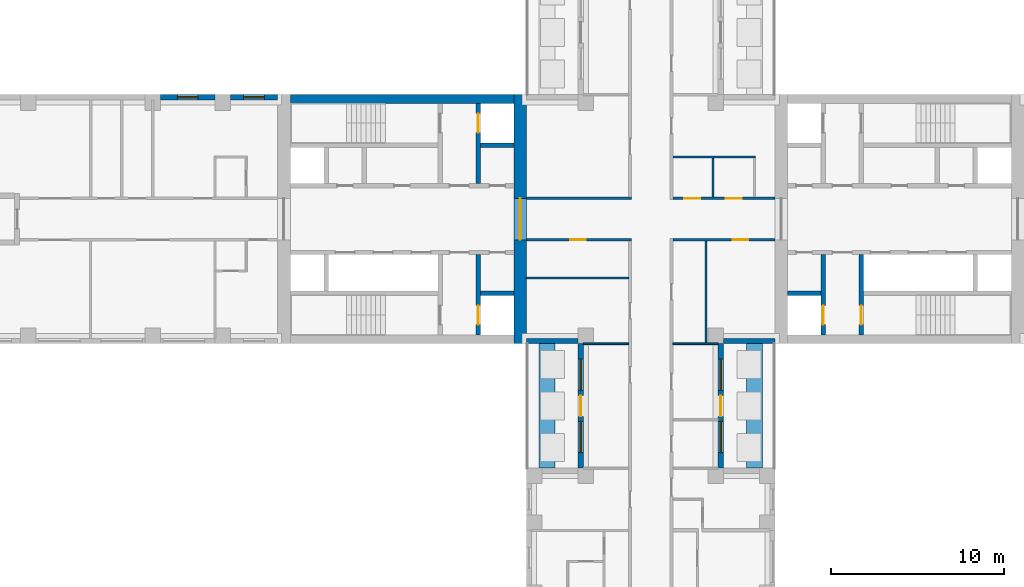
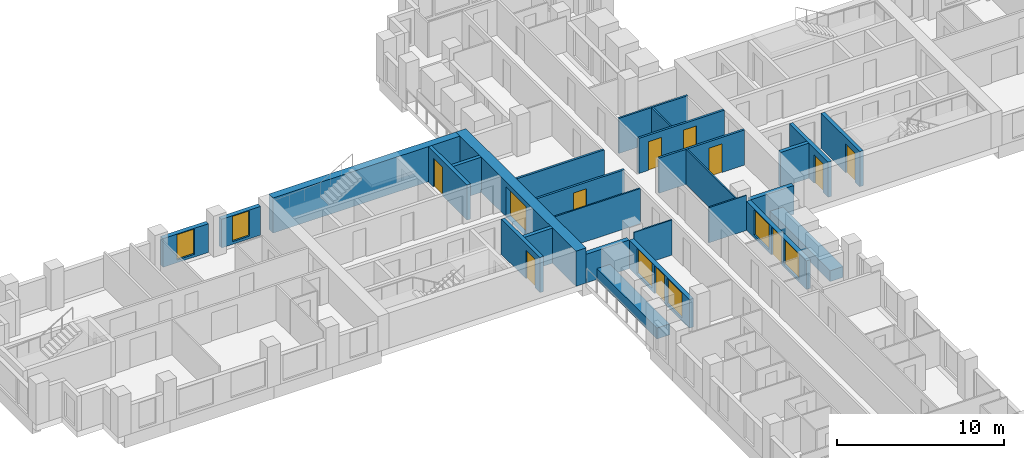
# One storey, part 7 of 13: 27 walls, 11 doors, 6 windows, 17 openings.
"""IFC4 building model written with IfcOpenShell, lengths in metres."""

from ifc_helpers import new_model, si_unit, direction, frame, frame_2d, origin, place, context, subcontext, project, spatial, rectangle, extrude, material, layer, layer_set, type_object, element, fill, save


model = new_model("IFC4")

# Units and contexts
model_context = context("Model", 3, precision=1e-05, world=origin(), true_north=direction((0.0, 1.0)))
body_context = subcontext(model_context, "Body", "Model", "MODEL_VIEW")
ifc_project = project(units=[si_unit("LENGTHUNIT", "METRE"), si_unit("AREAUNIT", "SQUARE_METRE"), si_unit("VOLUMEUNIT", "CUBIC_METRE"), si_unit("PLANEANGLEUNIT", "RADIAN"), si_unit("MASSUNIT", "GRAM", prefix="KILO")], contexts=[model_context])

# Site, building, storey
site_placement = place(None, origin())
site = spatial("IfcSite", under=ifc_project, at=site_placement, CompositionType="ELEMENT")
building_placement = place(site_placement, origin())
building = spatial("IfcBuilding", under=site, at=building_placement, Name="Fustian Cross Tower", CompositionType="ELEMENT")
storey_placement = place(building_placement, frame((0.0, 0.0, 84.89990234375)))
storey = spatial("IfcBuildingStorey", under=building, at=storey_placement, Name="L26", CompositionType="ELEMENT", Elevation=84.89990234375)

# Wall, opening, door
ifc_material_1 = material(Name="Plasterboard on steel stud", Category="steel")
ifc_layer_1 = layer(ifc_material_1, 0.14990234375)
ifc_layer_set_1 = layer_set([ifc_layer_1], Name="Plasterboard on steel stud")
wall_type_1 = type_object("IfcWallType", Name="COMPARTMENT WALL 150 EI 60", PredefinedType="PARTITIONING", material=ifc_layer_set_1)
wall_1_placement = place(storey_placement, frame((-7.199951171875, -1.199951171875, 0.0), z_axis=(0.0, 0.0, 1.0), x_axis=(1.0, 0.0, 0.0)))
wall_1 = element("IfcWall", 1, at=wall_1_placement, inside=storey, type_object=wall_type_1, Name="Partition 15", PredefinedType="PARTITIONING", context=body_context, shape_type="SweptSolid", body=[
    extrude(rectangle(XDim=6.074951171875, YDim=0.14990234375, at=frame_2d((3.03759765625, 0.0))), origin(), (0.0, 0.0, 1.0), 2.5751953125),
])
opening_1_placement = place(wall_1_placement, frame((2.550048828125, 0.0, 0.0)))
opening_1 = element("IfcOpeningElement", 2, at=opening_1_placement, cuts=wall_1, Name="Opening D13007", PredefinedType="OPENING", context=body_context, shape_type="SweptSolid", body=[
    extrude(rectangle(XDim=0.89990234375, YDim=2.10009765625, at=frame_2d((0.449951171875, 1.050048828125))), frame((0.0, 0.0849609375, 0.0), z_axis=(0.0, -1.0, 0.0), x_axis=(1.0, 0.0, 0.0)), (0.0, 0.0, 1.0), 0.169921875),
])
ifc_material_2 = material(Name="Timber fire door set", Category="wood")
door_type_1 = type_object("IfcDoorType", Name="FIRE SWING DOOR 900 FD30S", OperationType="SINGLE_SWING_LEFT", PredefinedType="DOOR", material=ifc_material_2)
door_1_placement = place(opening_1_placement, frame((0.89990234375, 0.0, 0.0), z_axis=(0.0, 0.0, 1.0), x_axis=(-1.0, 0.0, 0.0)))
door_1 = element("IfcDoor", 3, at=door_1_placement, inside=storey, type_object=door_type_1, Name="Door D13007", OperationType="SINGLE_SWING_RIGHT", OverallHeight=2.10009765625, OverallWidth=0.89990234375, PredefinedType="DOOR", context=body_context, shape_type="SweptSolid", body=[
    extrude(rectangle(XDim=0.89990234375, YDim=2.10009765625, at=frame_2d((0.449951171875, 1.050048828125))), frame((0.0, 0.02490234375, 0.0), z_axis=(0.0, -1.0, 0.0), x_axis=(1.0, 0.0, 0.0)), (0.0, 0.0, 1.0), 0.050048828125),
])
fill(opening_1, door_1)

# Wall
wall_2_placement = place(storey_placement, frame((-7.199951171875, 1.199951171875, 0.0), z_axis=(0.0, 0.0, 1.0), x_axis=(1.0, 0.0, 0.0)))
element("IfcWall", 4, at=wall_2_placement, inside=storey, type_object=wall_type_1, Name="Partition 16", PredefinedType="PARTITIONING", context=body_context, shape_type="SweptSolid", body=[
    extrude(rectangle(XDim=6.074951171875, YDim=0.14990234375, at=frame_2d((3.03759765625, 0.0))), origin(), (0.0, 0.0, 1.0), 2.5751953125),
])

# Wall, opening, door
wall_3_placement = place(storey_placement, frame((1.27490234375, -1.199951171875, 0.0), z_axis=(0.0, 0.0, 1.0), x_axis=(1.0, 0.0, 0.0)))
wall_3 = element("IfcWall", 5, at=wall_3_placement, inside=storey, type_object=wall_type_1, Name="Partition 48", PredefinedType="PARTITIONING", context=body_context, shape_type="SweptSolid", body=[
    extrude(rectangle(XDim=5.925048828125, YDim=0.14990234375, at=frame_2d((2.96240234375, 0.0))), origin(), (0.0, 0.0, 1.0), 2.5751953125),
])
opening_2_placement = place(wall_3_placement, frame((3.47509765625, 0.0, 0.0)))
opening_2 = element("IfcOpeningElement", 6, at=opening_2_placement, cuts=wall_3, Name="Opening D13006", PredefinedType="OPENING", context=body_context, shape_type="SweptSolid", body=[
    extrude(rectangle(XDim=0.89990234375, YDim=2.10009765625, at=frame_2d((0.449951171875, 1.050048828125))), frame((0.0, 0.0849609375, 0.0), z_axis=(0.0, -1.0, 0.0), x_axis=(1.0, 0.0, 0.0)), (0.0, 0.0, 1.0), 0.169921875),
])
door_2_placement = place(opening_2_placement, frame((0.89990234375, 0.0, 0.0), z_axis=(0.0, 0.0, 1.0), x_axis=(-1.0, 0.0, 0.0)))
door_2 = element("IfcDoor", 7, at=door_2_placement, inside=storey, type_object=door_type_1, Name="Door D13006", OperationType="SINGLE_SWING_RIGHT", OverallHeight=2.10009765625, OverallWidth=0.89990234375, PredefinedType="DOOR", context=body_context, shape_type="SweptSolid", body=[
    extrude(rectangle(XDim=0.89990234375, YDim=2.10009765625, at=frame_2d((0.449951171875, 1.050048828125))), frame((0.0, 0.02490234375, 0.0), z_axis=(0.0, -1.0, 0.0), x_axis=(1.0, 0.0, 0.0)), (0.0, 0.0, 1.0), 0.050048828125),
])
fill(opening_2, door_2)

# Wall, openings, doors
wall_4_placement = place(storey_placement, frame((1.27490234375, 1.199951171875, 0.0), z_axis=(0.0, 0.0, 1.0), x_axis=(1.0, 0.0, 0.0)))
wall_4 = element("IfcWall", 8, at=wall_4_placement, inside=storey, type_object=wall_type_1, Name="Partition 50", PredefinedType="PARTITIONING", context=body_context, shape_type="SweptSolid", body=[
    extrude(rectangle(XDim=5.925048828125, YDim=0.14990234375, at=frame_2d((2.96240234375, 0.0))), origin(), (0.0, 0.0, 1.0), 2.5751953125),
])
opening_3_placement = place(wall_4_placement, frame((0.675048828125, 0.0, 0.0)))
opening_3 = element("IfcOpeningElement", 9, at=opening_3_placement, cuts=wall_4, Name="Opening D13001", PredefinedType="OPENING", context=body_context, shape_type="SweptSolid", body=[
    extrude(rectangle(XDim=0.89990234375, YDim=2.10009765625, at=frame_2d((0.449951171875, 1.050048828125))), frame((0.0, 0.0849609375, 0.0), z_axis=(0.0, -1.0, 0.0), x_axis=(1.0, 0.0, 0.0)), (0.0, 0.0, 1.0), 0.169921875),
])
opening_4_placement = place(wall_4_placement, frame((3.074951171875, 0.0, 0.0)))
opening_4 = element("IfcOpeningElement", 10, at=opening_4_placement, cuts=wall_4, Name="Opening D13002", PredefinedType="OPENING", context=body_context, shape_type="SweptSolid", body=[
    extrude(rectangle(XDim=0.89990234375, YDim=2.10009765625, at=frame_2d((0.449951171875, 1.050048828125))), frame((0.0, 0.0849609375, 0.0), z_axis=(0.0, -1.0, 0.0), x_axis=(1.0, 0.0, 0.0)), (0.0, 0.0, 1.0), 0.169921875),
])
door_3_placement = place(opening_3_placement, origin())
door_3 = element("IfcDoor", 11, at=door_3_placement, inside=storey, type_object=door_type_1, Name="Door D13001", OperationType="SINGLE_SWING_LEFT", OverallHeight=2.10009765625, OverallWidth=0.89990234375, PredefinedType="DOOR", context=body_context, shape_type="SweptSolid", body=[
    extrude(rectangle(XDim=0.89990234375, YDim=2.10009765625, at=frame_2d((0.449951171875, 1.050048828125))), frame((0.0, 0.02490234375, 0.0), z_axis=(0.0, -1.0, 0.0), x_axis=(1.0, 0.0, 0.0)), (0.0, 0.0, 1.0), 0.050048828125),
])
fill(opening_3, door_3)
door_4_placement = place(opening_4_placement, origin())
door_4 = element("IfcDoor", 12, at=door_4_placement, inside=storey, type_object=door_type_1, Name="Door D13002", OperationType="SINGLE_SWING_LEFT", OverallHeight=2.10009765625, OverallWidth=0.89990234375, PredefinedType="DOOR", context=body_context, shape_type="SweptSolid", body=[
    extrude(rectangle(XDim=0.89990234375, YDim=2.10009765625, at=frame_2d((0.449951171875, 1.050048828125))), frame((0.0, 0.02490234375, 0.0), z_axis=(0.0, -1.0, 0.0), x_axis=(1.0, 0.0, 0.0)), (0.0, 0.0, 1.0), 0.050048828125),
])
fill(opening_4, door_4)

# Wall, opening, door
ifc_material_3 = material(Name="Concrete C70/85", Category="concrete")
ifc_layer_2 = layer(ifc_material_3, 0.699951171875)
ifc_layer_set_2 = layer_set([ifc_layer_2], Name="Concrete C70/85")
wall_type_2 = type_object("IfcWallType", Name="CORE END WALL 700 C70/85", PredefinedType="SHEAR", material=ifc_layer_set_2)
wall_5_placement = place(storey_placement, frame((-7.550048828125, -7.199951171875, 0.0), z_axis=(0.0, 0.0, 1.0), x_axis=(0.0, 1.0, 0.0)))
wall_5 = element("IfcWall", 13, at=wall_5_placement, inside=storey, type_object=wall_type_2, Name="Core end wall", PredefinedType="SHEAR", context=body_context, shape_type="SweptSolid", body=[
    extrude(rectangle(XDim=14.39990234375, YDim=0.699951171875, at=frame_2d((7.199951171875, 0.0))), origin(), (0.0, 0.0, 1.0), 2.5751953125),
])
opening_5_placement = place(wall_5_placement, frame((6.0, 0.0, 0.0)))
opening_5 = element("IfcOpeningElement", 14, at=opening_5_placement, cuts=wall_5, Name="Opening CD-11-27", PredefinedType="OPENING", context=body_context, shape_type="SweptSolid", body=[
    extrude(rectangle(XDim=2.39990234375, YDim=2.199951171875, at=frame_2d((1.199951171875, 1.10009765625))), frame((0.0, 0.35986328125, 0.0), z_axis=(0.0, -1.0, 0.0), x_axis=(1.0, 0.0, 0.0)), (0.0, 0.0, 1.0), 0.719970703125),
])
ifc_material_4 = material(Name="Steel", Category="steel")
door_type_2 = type_object("IfcDoorType", Name="FIRE DOOR FD30S DOUBLE 2400X2200", OperationType="DOUBLE_DOOR_DOUBLE_SWING", PredefinedType="DOOR", material=ifc_material_4)
door_5_placement = place(opening_5_placement, origin())
door_5 = element("IfcDoor", 15, at=door_5_placement, inside=storey, type_object=door_type_2, Name="Core door CD-11-27", OperationType="DOUBLE_DOOR_DOUBLE_SWING", OverallHeight=2.199951171875, OverallWidth=2.39990234375, PredefinedType="DOOR", context=body_context, shape_type="SweptSolid", body=[
    extrude(rectangle(XDim=2.39990234375, YDim=2.199951171875, at=frame_2d((1.199951171875, 1.10009765625))), frame((0.0, 0.02490234375, 0.0), z_axis=(0.0, -1.0, 0.0), x_axis=(1.0, 0.0, 0.0)), (0.0, 0.0, 1.0), 0.050048828125),
])
fill(opening_5, door_5)

# Walls
ifc_material_5 = material(Name="Concrete C70/85", Category="concrete")
ifc_layer_3 = layer(ifc_material_5, 0.5)
ifc_layer_set_3 = layer_set([ifc_layer_3], Name="Concrete C70/85")
wall_type_3 = type_object("IfcWallType", Name="CORE FACADE WALL 500 C70/85", PredefinedType="SHEAR", material=ifc_layer_set_3)
wall_6_placement = place(storey_placement, frame((-7.89990234375, 6.949951171875, 0.0), z_axis=(0.0, 0.0, 1.0), x_axis=(-1.0, 0.0, 0.0)))
element("IfcWall", 16, at=wall_6_placement, inside=storey, type_object=wall_type_3, Name="Core facade wall", PredefinedType="SHEAR", context=body_context, shape_type="SweptSolid", body=[
    extrude(rectangle(XDim=12.9501953125, YDim=0.5, at=frame_2d((6.47509765625, 0.0))), origin(), (0.0, 0.0, 1.0), 2.5751953125),
])
ifc_material_6 = material(Name="Concrete C50/60", Category="concrete")
ifc_layer_4 = layer(ifc_material_6, 0.25)
ifc_layer_set_4 = layer_set([ifc_layer_4], Name="Concrete C50/60")
wall_type_4 = type_object("IfcWallType", Name="CORE SHAFT WALL 250 C50/60", PredefinedType="SHEAR", material=ifc_layer_set_4)
wall_7_placement = place(storey_placement, frame((7.89990234375, -4.27490234375, 0.0), z_axis=(0.0, 0.0, 1.0), x_axis=(1.0, 0.0, 0.0)))
element("IfcWall", 17, at=wall_7_placement, inside=storey, type_object=wall_type_4, Name="Core shaft wall", PredefinedType="SHEAR", context=body_context, shape_type="SweptSolid", body=[
    extrude(rectangle(XDim=1.9501953125, YDim=0.25, at=frame_2d((0.97509765625, 0.0))), origin(), (0.0, 0.0, 1.0), 2.5751953125),
])

# Wall, opening, door
wall_8_placement = place(storey_placement, frame((9.97509765625, -2.050048828125, 0.0), z_axis=(0.0, 0.0, 1.0), x_axis=(0.0, -1.0, 0.0)))
wall_8 = element("IfcWall", 18, at=wall_8_placement, inside=storey, type_object=wall_type_4, Name="Core shaft wall", PredefinedType="SHEAR", context=body_context, shape_type="SweptSolid", body=[
    extrude(rectangle(XDim=4.64990234375, YDim=0.25, at=frame_2d((2.324951171875, 0.0))), origin(), (0.0, 0.0, 1.0), 2.5751953125),
])
opening_6_placement = place(wall_8_placement, frame((2.949951171875, 0.0, 0.0)))
opening_6 = element("IfcOpeningElement", 19, at=opening_6_placement, cuts=wall_8, Name="Opening LD", PredefinedType="OPENING", context=body_context, shape_type="SweptSolid", body=[
    extrude(rectangle(XDim=1.10009765625, YDim=2.10009765625, at=frame_2d((0.550048828125, 1.050048828125))), frame((0.0, 0.135009765625, 0.0), z_axis=(0.0, -1.0, 0.0), x_axis=(1.0, 0.0, 0.0)), (0.0, 0.0, 1.0), 0.27001953125),
])
ifc_material_7 = material(Name="Stainless steel", Category="steel")
door_type_3 = type_object("IfcDoorType", Name="LIFT LANDING DOOR 1100X2100", OperationType="SLIDING_TO_LEFT", PredefinedType="DOOR", material=ifc_material_7)
door_6_placement = place(opening_6_placement, origin())
door_6 = element("IfcDoor", 20, at=door_6_placement, inside=storey, type_object=door_type_3, Name="Landing door SV1", OperationType="SLIDING_TO_LEFT", OverallHeight=2.10009765625, OverallWidth=1.10009765625, PredefinedType="DOOR", context=body_context, shape_type="SweptSolid", body=[
    extrude(rectangle(XDim=1.10009765625, YDim=2.10009765625, at=frame_2d((0.550048828125, 1.050048828125))), frame((0.0, 0.02490234375, 0.0), z_axis=(0.0, -1.0, 0.0), x_axis=(1.0, 0.0, 0.0)), (0.0, 0.0, 1.0), 0.050048828125),
])
fill(opening_6, door_6)

wall_9_placement = place(storey_placement, frame((12.175048828125, -2.050048828125, 0.0), z_axis=(0.0, 0.0, 1.0), x_axis=(0.0, -1.0, 0.0)))
wall_9 = element("IfcWall", 21, at=wall_9_placement, inside=storey, type_object=wall_type_4, Name="Core shaft wall", PredefinedType="SHEAR", context=body_context, shape_type="SweptSolid", body=[
    extrude(rectangle(XDim=4.64990234375, YDim=0.25, at=frame_2d((2.324951171875, 0.0))), origin(), (0.0, 0.0, 1.0), 2.5751953125),
])
opening_7_placement = place(wall_9_placement, frame((2.949951171875, 0.0, 0.0)))
opening_7 = element("IfcOpeningElement", 22, at=opening_7_placement, cuts=wall_9, Name="Opening CD-11-07", PredefinedType="OPENING", context=body_context, shape_type="SweptSolid", body=[
    extrude(rectangle(XDim=1.10009765625, YDim=2.10009765625, at=frame_2d((0.550048828125, 1.050048828125))), frame((0.0, 0.135009765625, 0.0), z_axis=(0.0, -1.0, 0.0), x_axis=(1.0, 0.0, 0.0)), (0.0, 0.0, 1.0), 0.27001953125),
])
ifc_material_8 = material(Name="Steel", Category="steel")
door_type_4 = type_object("IfcDoorType", Name="FIRE DOOR FD60S 1100X2100", OperationType="SINGLE_SWING_LEFT", PredefinedType="DOOR", material=ifc_material_8)
door_7_placement = place(opening_7_placement, origin())
door_7 = element("IfcDoor", 23, at=door_7_placement, inside=storey, type_object=door_type_4, Name="Core door CD-11-07", OperationType="SINGLE_SWING_LEFT", OverallHeight=2.10009765625, OverallWidth=1.10009765625, PredefinedType="DOOR", context=body_context, shape_type="SweptSolid", body=[
    extrude(rectangle(XDim=1.10009765625, YDim=2.10009765625, at=frame_2d((0.550048828125, 1.050048828125))), frame((0.0, 0.02490234375, 0.0), z_axis=(0.0, -1.0, 0.0), x_axis=(1.0, 0.0, 0.0)), (0.0, 0.0, 1.0), 0.050048828125),
])
fill(opening_7, door_7)

# Wall
wall_10_placement = place(storey_placement, frame((-7.89990234375, 4.27490234375, 0.0), z_axis=(0.0, 0.0, 1.0), x_axis=(-1.0, 0.0, 0.0)))
element("IfcWall", 24, at=wall_10_placement, inside=storey, type_object=wall_type_4, Name="Core shaft wall", PredefinedType="SHEAR", context=body_context, shape_type="SweptSolid", body=[
    extrude(rectangle(XDim=1.9501953125, YDim=0.25, at=frame_2d((0.97509765625, 0.0))), origin(), (0.0, 0.0, 1.0), 2.5751953125),
])

# Wall, opening, door
wall_11_placement = place(storey_placement, frame((-9.97509765625, 2.050048828125, 0.0), z_axis=(0.0, 0.0, 1.0), x_axis=(0.0, 1.0, 0.0)))
wall_11 = element("IfcWall", 25, at=wall_11_placement, inside=storey, type_object=wall_type_4, Name="Core shaft wall", PredefinedType="SHEAR", context=body_context, shape_type="SweptSolid", body=[
    extrude(rectangle(XDim=4.64990234375, YDim=0.25, at=frame_2d((2.324951171875, 0.0))), origin(), (0.0, 0.0, 1.0), 2.5751953125),
])
opening_8_placement = place(wall_11_placement, frame((2.949951171875, 0.0, 0.0)))
opening_8 = element("IfcOpeningElement", 26, at=opening_8_placement, cuts=wall_11, Name="Opening LD", PredefinedType="OPENING", context=body_context, shape_type="SweptSolid", body=[
    extrude(rectangle(XDim=1.10009765625, YDim=2.10009765625, at=frame_2d((0.550048828125, 1.050048828125))), frame((0.0, 0.135009765625, 0.0), z_axis=(0.0, -1.0, 0.0), x_axis=(1.0, 0.0, 0.0)), (0.0, 0.0, 1.0), 0.27001953125),
])
door_8_placement = place(opening_8_placement, origin())
door_8 = element("IfcDoor", 27, at=door_8_placement, inside=storey, type_object=door_type_3, Name="Landing door FL1W", OperationType="SLIDING_TO_LEFT", OverallHeight=2.10009765625, OverallWidth=1.10009765625, PredefinedType="DOOR", context=body_context, shape_type="SweptSolid", body=[
    extrude(rectangle(XDim=1.10009765625, YDim=2.10009765625, at=frame_2d((0.550048828125, 1.050048828125))), frame((0.0, 0.02490234375, 0.0), z_axis=(0.0, -1.0, 0.0), x_axis=(1.0, 0.0, 0.0)), (0.0, 0.0, 1.0), 0.050048828125),
])
fill(opening_8, door_8)

# Wall
wall_12_placement = place(storey_placement, frame((-7.89990234375, -4.27490234375, 0.0), z_axis=(0.0, 0.0, 1.0), x_axis=(-1.0, 0.0, 0.0)))
element("IfcWall", 28, at=wall_12_placement, inside=storey, type_object=wall_type_4, Name="Core shaft wall", PredefinedType="SHEAR", context=body_context, shape_type="SweptSolid", body=[
    extrude(rectangle(XDim=1.9501953125, YDim=0.25, at=frame_2d((0.97509765625, 0.0))), origin(), (0.0, 0.0, 1.0), 2.5751953125),
])

# Wall, opening, door
wall_13_placement = place(storey_placement, frame((-9.97509765625, -2.050048828125, 0.0), z_axis=(0.0, 0.0, 1.0), x_axis=(0.0, -1.0, 0.0)))
wall_13 = element("IfcWall", 29, at=wall_13_placement, inside=storey, type_object=wall_type_4, Name="Core shaft wall", PredefinedType="SHEAR", context=body_context, shape_type="SweptSolid", body=[
    extrude(rectangle(XDim=4.64990234375, YDim=0.25, at=frame_2d((2.324951171875, 0.0))), origin(), (0.0, 0.0, 1.0), 2.5751953125),
])
opening_9_placement = place(wall_13_placement, frame((2.949951171875, 0.0, 0.0)))
opening_9 = element("IfcOpeningElement", 30, at=opening_9_placement, cuts=wall_13, Name="Opening LD", PredefinedType="OPENING", context=body_context, shape_type="SweptSolid", body=[
    extrude(rectangle(XDim=1.10009765625, YDim=2.10009765625, at=frame_2d((0.550048828125, 1.050048828125))), frame((0.0, 0.135009765625, 0.0), z_axis=(0.0, -1.0, 0.0), x_axis=(1.0, 0.0, 0.0)), (0.0, 0.0, 1.0), 0.27001953125),
])
door_9_placement = place(opening_9_placement, origin())
door_9 = element("IfcDoor", 31, at=door_9_placement, inside=storey, type_object=door_type_3, Name="Landing door SV1W", OperationType="SLIDING_TO_LEFT", OverallHeight=2.10009765625, OverallWidth=1.10009765625, PredefinedType="DOOR", context=body_context, shape_type="SweptSolid", body=[
    extrude(rectangle(XDim=1.10009765625, YDim=2.10009765625, at=frame_2d((0.550048828125, 1.050048828125))), frame((0.0, 0.02490234375, 0.0), z_axis=(0.0, -1.0, 0.0), x_axis=(1.0, 0.0, 0.0)), (0.0, 0.0, 1.0), 0.050048828125),
])
fill(opening_9, door_9)

# Walls
ifc_material_9 = material(Name="Plasterboard on steel stud", Category="steel")
ifc_layer_5 = layer(ifc_material_9, 0.10009765625)
ifc_layer_set_5 = layer_set([ifc_layer_5], Name="Plasterboard on steel stud")
wall_type_5 = type_object("IfcWallType", Name="PARTITION 100 STUD", PredefinedType="PARTITIONING", material=ifc_layer_set_5)
wall_14_placement = place(storey_placement, frame((-7.199951171875, -3.39990234375, 0.0), z_axis=(0.0, 0.0, 1.0), x_axis=(1.0, 0.0, 0.0)))
element("IfcWall", 32, at=wall_14_placement, inside=storey, type_object=wall_type_5, Name="Partition 14", PredefinedType="PARTITIONING", context=body_context, shape_type="SweptSolid", body=[
    extrude(rectangle(XDim=5.925048828125, YDim=0.10009765625, at=frame_2d((2.96240234375, 0.0))), origin(), (0.0, 0.0, 1.0), 2.5751953125),
])
for number, where, z_axis, x_axis, name in (
    (33, (-3.89990234375, -7.199951171875, 0.0), (0.0, 0.0, 1.0), (1.0, 0.0, 0.0), "Partition 32"),
    (34, (1.27490234375, -7.199951171875, 0.0), (0.0, 0.0, 1.0), (1.0, 0.0, 0.0), "Partition 47"),
):
    element("IfcWall", number, at=place(storey_placement, frame(where, z_axis=z_axis, x_axis=x_axis)), inside=storey, type_object=wall_type_5, Name=name, PredefinedType="PARTITIONING", context=body_context, shape_type="SweptSolid", body=[
        extrude(rectangle(XDim=2.625, YDim=0.10009765625, at=frame_2d((1.3125, 0.0))), origin(), (0.0, 0.0, 1.0), 2.5751953125),
    ])
wall_15_placement = place(storey_placement, frame((3.199951171875, -7.14990234375, 0.0), z_axis=(0.0, 0.0, 1.0), x_axis=(0.0, 1.0, 0.0)))
element("IfcWall", 35, at=wall_15_placement, inside=storey, type_object=wall_type_5, Name="Partition 62", PredefinedType="PARTITIONING", context=body_context, shape_type="SweptSolid", body=[
    extrude(rectangle(XDim=5.875, YDim=0.10009765625, at=frame_2d((2.9375, 0.0))), origin(), (0.0, 0.0, 1.0), 2.5751953125),
])
ifc_material_10 = material(Name="Concrete C40/50", Category="concrete")
ifc_layer_6 = layer(ifc_material_10, 0.89990234375)
ifc_layer_set_6 = layer_set([ifc_layer_6], Name="Concrete C40/50")
wall_type_6 = type_object("IfcWallType", Name="PK1 PLANTER 900", PredefinedType="PARAPET", material=ifc_layer_set_6)
for number, where, z_axis, x_axis, name in (
    (36, (6.0, -14.39990234375, 0.0), (0.0, 0.0, 1.0), (0.0, 1.0, 0.0), "PLANTER"),
    (37, (-6.0, -14.39990234375, 0.0), (0.0, 0.0, 1.0), (0.0, 1.0, 0.0), "PLANTER"),
):
    element("IfcWall", number, at=place(storey_placement, frame(where, z_axis=z_axis, x_axis=x_axis)), inside=storey, type_object=wall_type_6, Name=name, PredefinedType="PARAPET", context=body_context, shape_type="SweptSolid", body=[
        extrude(rectangle(XDim=7.199951171875, YDim=0.89990234375, at=frame_2d((3.60009765625, 0.0))), origin(), (0.0, 0.0, 1.0), 0.800048828125),
    ])
ifc_material_11 = material(Name="Plasterboard on steel stud", Category="steel")
ifc_layer_7 = layer(ifc_material_11, 0.125)
ifc_layer_set_7 = layer_set([ifc_layer_7], Name="Plasterboard on steel stud")
wall_type_7 = type_object("IfcWallType", Name="WET WALL 125 STUD", PredefinedType="PARTITIONING", material=ifc_layer_set_7)
wall_16_placement = place(storey_placement, frame((1.27490234375, 3.60009765625, 0.0), z_axis=(0.0, 0.0, 1.0), x_axis=(1.0, 0.0, 0.0)))
element("IfcWall", 38, at=wall_16_placement, inside=storey, type_object=wall_type_7, Name="Partition 51", PredefinedType="PARTITIONING", context=body_context, shape_type="SweptSolid", body=[
    extrude(rectangle(XDim=4.78759765625, YDim=0.125, at=frame_2d((2.393798828125, 0.0))), origin(), (0.0, 0.0, 1.0), 2.5751953125),
])
wall_17_placement = place(storey_placement, frame((3.60009765625, 1.27490234375, 0.0), z_axis=(0.0, 0.0, 1.0), x_axis=(0.0, 1.0, 0.0)))
element("IfcWall", 39, at=wall_17_placement, inside=storey, type_object=wall_type_7, Name="Partition 63", PredefinedType="PARTITIONING", context=body_context, shape_type="SweptSolid", body=[
    extrude(rectangle(XDim=2.2626953125, YDim=0.125, at=frame_2d((1.13134765625, 0.0))), origin(), (0.0, 0.0, 1.0), 2.5751953125),
])

# Wall, opening, window
ifc_material_12 = material(Name="Dark aluminium cladding on insulated backing wall", Category="aluminium")
ifc_layer_8 = layer(ifc_material_12, 0.300048828125)
ifc_layer_set_8 = layer_set([ifc_layer_8], Name="Dark aluminium cladding on insulated backing wall")
wall_type_8 = type_object("IfcWallType", Name="XW1 EXTERNAL WALL 300", PredefinedType="SOLIDWALL", material=ifc_layer_set_8)
wall_18_placement = place(storey_placement, frame((-21.60009765625, 7.050048828125, 0.0), z_axis=(0.0, 0.0, 1.0), x_axis=(-1.0, 0.0, 0.0)))
wall_18 = element("IfcWall", 40, at=wall_18_placement, inside=storey, type_object=wall_type_8, Name="External wall", PredefinedType="SOLIDWALL", context=body_context, shape_type="SweptSolid", body=[
    extrude(rectangle(XDim=2.699951171875, YDim=0.300048828125, at=frame_2d((1.35009765625, 0.0))), origin(), (0.0, 0.0, 1.0), 2.10009765625),
])
opening_10_placement = place(wall_18_placement, frame((0.75, 0.0, 0.199951171875)))
opening_10 = element("IfcOpeningElement", 41, at=opening_10_placement, cuts=wall_18, Name="Opening WN3", PredefinedType="OPENING", context=body_context, shape_type="SweptSolid", body=[
    extrude(rectangle(XDim=1.199951171875, YDim=1.85009765625, at=frame_2d((0.60009765625, 0.925048828125))), frame((0.0, 0.159912109375, 0.0), z_axis=(0.0, -1.0, 0.0), x_axis=(1.0, 0.0, 0.0)), (0.0, 0.0, 1.0), 0.320068359375),
])
ifc_material_13 = material(Name="Dark anodised aluminium and double glazing", Category="aluminium")
window_type_1 = type_object("IfcWindowType", Name="WN3 WINDOW 1200X1850", PartitioningType="SINGLE_PANEL", PredefinedType="WINDOW", material=ifc_material_13)
window_1_placement = place(opening_10_placement, origin())
window_1 = element("IfcWindow", 42, at=window_1_placement, inside=storey, type_object=window_type_1, Name="Window", OverallHeight=1.85009765625, OverallWidth=1.199951171875, PartitioningType="SINGLE_PANEL", PredefinedType="WINDOW", context=body_context, shape_type="SweptSolid", body=[
    extrude(rectangle(XDim=1.199951171875, YDim=1.85009765625, at=frame_2d((0.60009765625, 0.925048828125))), frame((0.0, 0.030029296875, 0.0), z_axis=(0.0, -1.0, 0.0), x_axis=(1.0, 0.0, 0.0)), (0.0, 0.0, 1.0), 0.06005859375),
])
fill(opening_10, window_1)

wall_19_placement = place(storey_placement, frame((-25.199951171875, 7.050048828125, 0.0), z_axis=(0.0, 0.0, 1.0), x_axis=(-1.0, 0.0, 0.0)))
wall_19 = element("IfcWall", 43, at=wall_19_placement, inside=storey, type_object=wall_type_8, Name="External wall", PredefinedType="SOLIDWALL", context=body_context, shape_type="SweptSolid", body=[
    extrude(rectangle(XDim=3.150146484375, YDim=0.300048828125, at=frame_2d((1.5751953125, 0.0))), origin(), (0.0, 0.0, 1.0), 2.10009765625),
])
opening_11_placement = place(wall_19_placement, frame((0.97509765625, 0.0, 0.199951171875)))
opening_11 = element("IfcOpeningElement", 44, at=opening_11_placement, cuts=wall_19, Name="Opening WN3", PredefinedType="OPENING", context=body_context, shape_type="SweptSolid", body=[
    extrude(rectangle(XDim=1.199951171875, YDim=1.85009765625, at=frame_2d((0.60009765625, 0.925048828125))), frame((0.0, 0.159912109375, 0.0), z_axis=(0.0, -1.0, 0.0), x_axis=(1.0, 0.0, 0.0)), (0.0, 0.0, 1.0), 0.320068359375),
])
window_2_placement = place(opening_11_placement, origin())
window_2 = element("IfcWindow", 45, at=window_2_placement, inside=storey, type_object=window_type_1, Name="Window", OverallHeight=1.85009765625, OverallWidth=1.199951171875, PartitioningType="SINGLE_PANEL", PredefinedType="WINDOW", context=body_context, shape_type="SweptSolid", body=[
    extrude(rectangle(XDim=1.199951171875, YDim=1.85009765625, at=frame_2d((0.60009765625, 0.925048828125))), frame((0.0, 0.030029296875, 0.0), z_axis=(0.0, -1.0, 0.0), x_axis=(1.0, 0.0, 0.0)), (0.0, 0.0, 1.0), 0.06005859375),
])
fill(opening_11, window_2)

# Wall
wall_20_placement = place(storey_placement, frame((-7.199951171875, -7.050048828125, 0.0), z_axis=(0.0, 0.0, 1.0), x_axis=(1.0, 0.0, 0.0)))
element("IfcWall", 46, at=wall_20_placement, inside=storey, type_object=wall_type_8, Name="External wall", PredefinedType="SOLIDWALL", context=body_context, shape_type="SweptSolid", body=[
    extrude(rectangle(XDim=3.0, YDim=0.300048828125, at=frame_2d((1.5, 0.0))), origin(), (0.0, 0.0, 1.0), 2.10009765625),
])

# Wall, openings, door, windows
wall_21_placement = place(storey_placement, frame((-4.050048828125, -7.199951171875, 0.0), z_axis=(0.0, 0.0, 1.0), x_axis=(0.0, -1.0, 0.0)))
wall_21 = element("IfcWall", 47, at=wall_21_placement, inside=storey, type_object=wall_type_8, Name="External wall", PredefinedType="SOLIDWALL", context=body_context, shape_type="SweptSolid", body=[
    extrude(rectangle(XDim=7.199951171875, YDim=0.300048828125, at=frame_2d((3.60009765625, 0.0))), origin(), (0.0, 0.0, 1.0), 2.10009765625),
])
opening_12_placement = place(wall_21_placement, frame((3.0, 0.0, 0.0)))
opening_12 = element("IfcOpeningElement", 48, at=opening_12_placement, cuts=wall_21, Name="Opening XD4", PredefinedType="OPENING", context=body_context, shape_type="SweptSolid", body=[
    extrude(rectangle(XDim=1.199951171875, YDim=2.050048828125, at=frame_2d((0.60009765625, 1.02490234375))), frame((0.0, 0.159912109375, 0.0), z_axis=(0.0, -1.0, 0.0), x_axis=(1.0, 0.0, 0.0)), (0.0, 0.0, 1.0), 0.320068359375),
])
opening_13_placement = place(wall_21_placement, frame((0.89990234375, 0.0, 0.199951171875)))
opening_13 = element("IfcOpeningElement", 49, at=opening_13_placement, cuts=wall_21, Name="Opening WN2", PredefinedType="OPENING", context=body_context, shape_type="SweptSolid", body=[
    extrude(rectangle(XDim=1.800048828125, YDim=1.85009765625, at=frame_2d((0.89990234375, 0.925048828125))), frame((0.0, 0.159912109375, 0.0), z_axis=(0.0, -1.0, 0.0), x_axis=(1.0, 0.0, 0.0)), (0.0, 0.0, 1.0), 0.320068359375),
])
opening_14_placement = place(wall_21_placement, frame((4.5, 0.0, 0.199951171875)))
opening_14 = element("IfcOpeningElement", 50, at=opening_14_placement, cuts=wall_21, Name="Opening WN2", PredefinedType="OPENING", context=body_context, shape_type="SweptSolid", body=[
    extrude(rectangle(XDim=1.800048828125, YDim=1.85009765625, at=frame_2d((0.89990234375, 0.925048828125))), frame((0.0, 0.159912109375, 0.0), z_axis=(0.0, -1.0, 0.0), x_axis=(1.0, 0.0, 0.0)), (0.0, 0.0, 1.0), 0.320068359375),
])
ifc_material_14 = material(Name="Dark anodised aluminium and double glazing", Category="aluminium")
door_type_5 = type_object("IfcDoorType", Name="ED1 BALCONY DOOR 1200X2050", OperationType="SINGLE_SWING_LEFT", PredefinedType="DOOR", material=ifc_material_14)
door_10_placement = place(opening_12_placement, origin())
door_10 = element("IfcDoor", 51, at=door_10_placement, inside=storey, type_object=door_type_5, Name="Balcony door", OperationType="SINGLE_SWING_LEFT", OverallHeight=2.050048828125, OverallWidth=1.199951171875, PredefinedType="DOOR", context=body_context, shape_type="SweptSolid", body=[
    extrude(rectangle(XDim=1.199951171875, YDim=2.050048828125, at=frame_2d((0.60009765625, 1.02490234375))), frame((0.0, 0.02490234375, 0.0), z_axis=(0.0, -1.0, 0.0), x_axis=(1.0, 0.0, 0.0)), (0.0, 0.0, 1.0), 0.050048828125),
])
fill(opening_12, door_10)
ifc_material_15 = material(Name="Dark anodised aluminium and double glazing", Category="aluminium")
window_type_2 = type_object("IfcWindowType", Name="WN2 WINDOW 1800X1850", PartitioningType="SINGLE_PANEL", PredefinedType="WINDOW", material=ifc_material_15)
window_3_placement = place(opening_13_placement, origin())
window_3 = element("IfcWindow", 52, at=window_3_placement, inside=storey, type_object=window_type_2, Name="Window", OverallHeight=1.85009765625, OverallWidth=1.800048828125, PartitioningType="SINGLE_PANEL", PredefinedType="WINDOW", context=body_context, shape_type="SweptSolid", body=[
    extrude(rectangle(XDim=1.800048828125, YDim=1.85009765625, at=frame_2d((0.89990234375, 0.925048828125))), frame((0.0, 0.030029296875, 0.0), z_axis=(0.0, -1.0, 0.0), x_axis=(1.0, 0.0, 0.0)), (0.0, 0.0, 1.0), 0.06005859375),
])
fill(opening_13, window_3)
window_4_placement = place(opening_14_placement, origin())
window_4 = element("IfcWindow", 53, at=window_4_placement, inside=storey, type_object=window_type_2, Name="Window", OverallHeight=1.85009765625, OverallWidth=1.800048828125, PartitioningType="SINGLE_PANEL", PredefinedType="WINDOW", context=body_context, shape_type="SweptSolid", body=[
    extrude(rectangle(XDim=1.800048828125, YDim=1.85009765625, at=frame_2d((0.89990234375, 0.925048828125))), frame((0.0, 0.030029296875, 0.0), z_axis=(0.0, -1.0, 0.0), x_axis=(1.0, 0.0, 0.0)), (0.0, 0.0, 1.0), 0.06005859375),
])
fill(opening_14, window_4)

wall_22_placement = place(storey_placement, frame((4.050048828125, -14.39990234375, 0.0), z_axis=(0.0, 0.0, 1.0), x_axis=(0.0, 1.0, 0.0)))
wall_22 = element("IfcWall", 54, at=wall_22_placement, inside=storey, type_object=wall_type_8, Name="External wall", PredefinedType="SOLIDWALL", context=body_context, shape_type="SweptSolid", body=[
    extrude(rectangle(XDim=7.199951171875, YDim=0.300048828125, at=frame_2d((3.60009765625, 0.0))), origin(), (0.0, 0.0, 1.0), 2.10009765625),
])
opening_15_placement = place(wall_22_placement, frame((3.0, 0.0, 0.0)))
opening_15 = element("IfcOpeningElement", 55, at=opening_15_placement, cuts=wall_22, Name="Opening XD3", PredefinedType="OPENING", context=body_context, shape_type="SweptSolid", body=[
    extrude(rectangle(XDim=1.199951171875, YDim=2.050048828125, at=frame_2d((0.60009765625, 1.02490234375))), frame((0.0, 0.159912109375, 0.0), z_axis=(0.0, -1.0, 0.0), x_axis=(1.0, 0.0, 0.0)), (0.0, 0.0, 1.0), 0.320068359375),
])
opening_16_placement = place(wall_22_placement, frame((0.89990234375, 0.0, 0.199951171875)))
opening_16 = element("IfcOpeningElement", 56, at=opening_16_placement, cuts=wall_22, Name="Opening WN2", PredefinedType="OPENING", context=body_context, shape_type="SweptSolid", body=[
    extrude(rectangle(XDim=1.800048828125, YDim=1.85009765625, at=frame_2d((0.89990234375, 0.925048828125))), frame((0.0, 0.159912109375, 0.0), z_axis=(0.0, -1.0, 0.0), x_axis=(1.0, 0.0, 0.0)), (0.0, 0.0, 1.0), 0.320068359375),
])
opening_17_placement = place(wall_22_placement, frame((4.5, 0.0, 0.199951171875)))
opening_17 = element("IfcOpeningElement", 57, at=opening_17_placement, cuts=wall_22, Name="Opening WN2", PredefinedType="OPENING", context=body_context, shape_type="SweptSolid", body=[
    extrude(rectangle(XDim=1.800048828125, YDim=1.85009765625, at=frame_2d((0.89990234375, 0.925048828125))), frame((0.0, 0.159912109375, 0.0), z_axis=(0.0, -1.0, 0.0), x_axis=(1.0, 0.0, 0.0)), (0.0, 0.0, 1.0), 0.320068359375),
])
door_11_placement = place(opening_15_placement, origin())
door_11 = element("IfcDoor", 58, at=door_11_placement, inside=storey, type_object=door_type_5, Name="Balcony door", OperationType="SINGLE_SWING_LEFT", OverallHeight=2.050048828125, OverallWidth=1.199951171875, PredefinedType="DOOR", context=body_context, shape_type="SweptSolid", body=[
    extrude(rectangle(XDim=1.199951171875, YDim=2.050048828125, at=frame_2d((0.60009765625, 1.02490234375))), frame((0.0, 0.02490234375, 0.0), z_axis=(0.0, -1.0, 0.0), x_axis=(1.0, 0.0, 0.0)), (0.0, 0.0, 1.0), 0.050048828125),
])
fill(opening_15, door_11)
window_5_placement = place(opening_16_placement, origin())
window_5 = element("IfcWindow", 59, at=window_5_placement, inside=storey, type_object=window_type_2, Name="Window", OverallHeight=1.85009765625, OverallWidth=1.800048828125, PartitioningType="SINGLE_PANEL", PredefinedType="WINDOW", context=body_context, shape_type="SweptSolid", body=[
    extrude(rectangle(XDim=1.800048828125, YDim=1.85009765625, at=frame_2d((0.89990234375, 0.925048828125))), frame((0.0, 0.030029296875, 0.0), z_axis=(0.0, -1.0, 0.0), x_axis=(1.0, 0.0, 0.0)), (0.0, 0.0, 1.0), 0.06005859375),
])
fill(opening_16, window_5)
window_6_placement = place(opening_17_placement, origin())
window_6 = element("IfcWindow", 60, at=window_6_placement, inside=storey, type_object=window_type_2, Name="Window", OverallHeight=1.85009765625, OverallWidth=1.800048828125, PartitioningType="SINGLE_PANEL", PredefinedType="WINDOW", context=body_context, shape_type="SweptSolid", body=[
    extrude(rectangle(XDim=1.800048828125, YDim=1.85009765625, at=frame_2d((0.89990234375, 0.925048828125))), frame((0.0, 0.030029296875, 0.0), z_axis=(0.0, -1.0, 0.0), x_axis=(1.0, 0.0, 0.0)), (0.0, 0.0, 1.0), 0.06005859375),
])
fill(opening_17, window_6)

# Wall
wall_23_placement = place(storey_placement, frame((4.199951171875, -7.050048828125, 0.0), z_axis=(0.0, 0.0, 1.0), x_axis=(1.0, 0.0, 0.0)))
element("IfcWall", 61, at=wall_23_placement, inside=storey, type_object=wall_type_8, Name="External wall", PredefinedType="SOLIDWALL", context=body_context, shape_type="SweptSolid", body=[
    extrude(rectangle(XDim=3.0, YDim=0.300048828125, at=frame_2d((1.5, 0.0))), origin(), (0.0, 0.0, 1.0), 2.10009765625),
])

save(model, "model.ifc")
